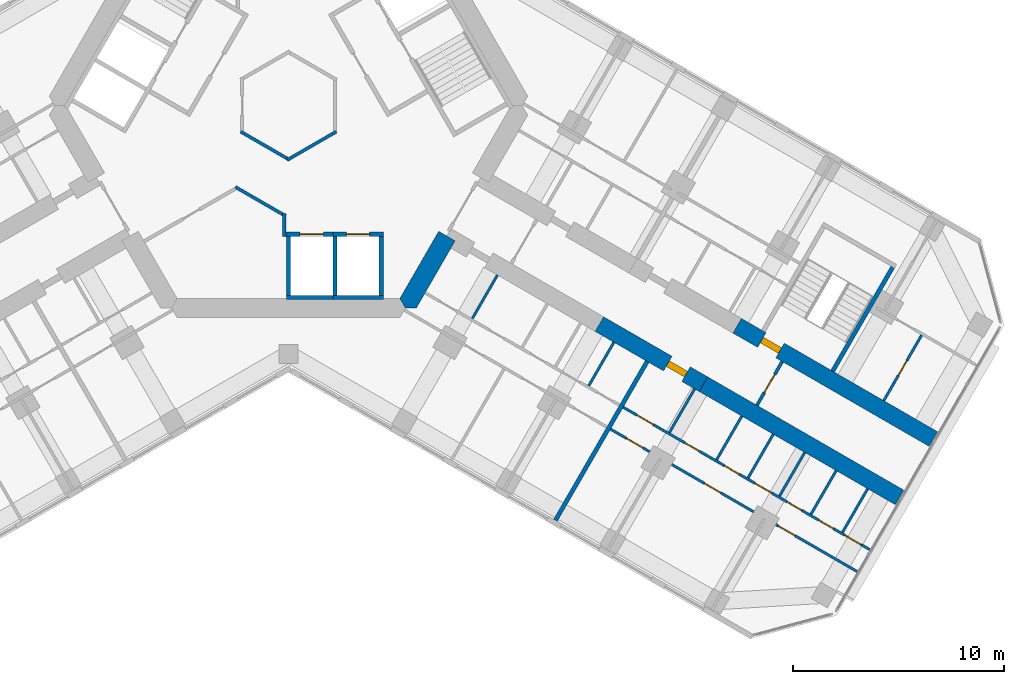
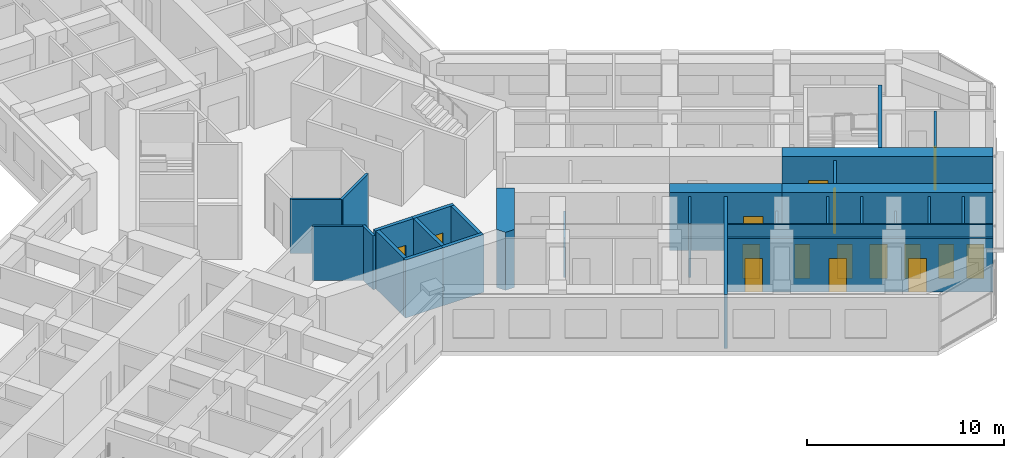
# One storey, part 14 of 19: 29 walls, 16 doors, 16 openings.
"""IFC4 building model written with IfcOpenShell, lengths in metres."""

from ifc_helpers import new_model, si_unit, direction, frame, frame_2d, origin, place, context, subcontext, project, spatial, polyline, rectangle, outline, extrude, material, layer, layer_set, type_object, element, fill, save


model = new_model("IFC4")

# Units and contexts
model_context = context("Model", 3, precision=1e-05, world=origin(), true_north=direction((0.0, 1.0)))
body_context = subcontext(model_context, "Body", "Model", "MODEL_VIEW")
ifc_project = project(units=[si_unit("LENGTHUNIT", "METRE"), si_unit("AREAUNIT", "SQUARE_METRE"), si_unit("VOLUMEUNIT", "CUBIC_METRE"), si_unit("PLANEANGLEUNIT", "RADIAN"), si_unit("MASSUNIT", "GRAM", prefix="KILO")], contexts=[model_context])

# Site, building, storey
site_placement = place(None, origin())
site = spatial("IfcSite", under=ifc_project, at=site_placement, CompositionType="ELEMENT")
building_placement = place(site_placement, origin())
building = spatial("IfcBuilding", under=site, at=building_placement, Name="Kosmar Iwan School Tower", CompositionType="ELEMENT")
storey_placement = place(building_placement, frame((0.0, 0.0, 172.39990234375)))
storey = spatial("IfcBuildingStorey", under=building, at=storey_placement, Name="L43", CompositionType="ELEMENT", Elevation=172.39990234375)

# Walls
ifc_material_1 = material(Name="Gypsum board on steel studs, fire-rated", Category="steel")
ifc_layer_1 = layer(ifc_material_1, 0.14990234375)
ifc_layer_set_1 = layer_set([ifc_layer_1], Name="Core room partition 150")
wall_type_1 = type_object("IfcWallType", Name="Core room partition 150", PredefinedType="PARTITIONING", material=ifc_layer_set_1)
wall_1_placement = place(storey_placement, frame((-2.514892578125, -3.859619140625, 0.0), z_axis=(0.0, 0.0, 1.0), x_axis=(0.866025804792, -0.499999305434, 0.0)))
element("IfcWall", 1, at=wall_1_placement, inside=storey, type_object=wall_type_1, Name="Core room partition L43-CW6", PredefinedType="PARTITIONING", context=body_context, shape_type="SweptSolid", body=[
    extrude(rectangle(XDim=2.748046875, YDim=0.14990234375, at=frame_2d((1.3740234375, 0.0))), origin(), (0.0, 0.0, 1.0), 3.35009765625),
])
wall_2_placement = place(storey_placement, frame((-0.199951171875, -5.12109375, 0.0), z_axis=(0.0, 0.0, 1.0), x_axis=(0.0, -1.0, 0.0)))
element("IfcWall", 2, at=wall_2_placement, inside=storey, type_object=wall_type_1, Name="Core room partition L43-CW7", PredefinedType="PARTITIONING", context=body_context, shape_type="SweptSolid", body=[
    extrude(rectangle(XDim=1.078857421875, YDim=0.14990234375, at=frame_2d((0.53955078125, 0.0))), origin(), (0.0, 0.0, 1.0), 3.35009765625),
])
for number, where, z_axis, x_axis, name in (
    (3, (2.264892578125, -1.232666015625, 0.0), (0.0, 0.0, 1.0), (-0.866011792348, -0.500023574959, 0.0), "Core room partition L43-CW8"),
    (4, (0.06494140625, -2.577880859375, 0.0), (0.0, 0.0, 1.0), (-0.866011792348, 0.500023574959, 0.0), "Core room partition L43-CW9"),
):
    element("IfcWall", number, at=place(storey_placement, frame(where, z_axis=z_axis, x_axis=x_axis)), inside=storey, type_object=wall_type_1, Name=name, PredefinedType="PARTITIONING", context=body_context, shape_type="SweptSolid", body=[
        extrude(rectangle(XDim=2.690185546875, YDim=0.14990234375, at=frame_2d((1.34521484375, 0.0))), origin(), (0.0, 0.0, 1.0), 3.35009765625),
    ])
ifc_material_2 = material(Name="Concrete C50/60", Category="concrete")
ifc_layer_2 = layer(ifc_material_2, 0.89990234375)
ifc_layer_set_2 = layer_set([ifc_layer_2], Name="Core wall 900")
wall_type_2 = type_object("IfcWallType", Name="Core wall 900", PredefinedType="SHEAR", material=ifc_layer_set_2)
wall_3_placement = place(storey_placement, origin())
element("IfcWall", 5, at=wall_3_placement, inside=storey, type_object=wall_type_2, Name="Core wall F330a", PredefinedType="SHEAR", context=body_context, shape_type="SweptSolid", body=[
    extrude(outline(polyline([(5.54248046875, -9.60009765625), (6.062255859375, -9.60009765625), (7.903564453125, -6.41064453125), (7.1240234375, -5.960693359375), (5.28271484375, -9.14990234375), (5.54248046875, -9.60009765625)])), origin(), (0.0, 0.0, 1.0), 3.60009765625),
])

# Wall, opening, door
ifc_material_3 = material(Name="Concrete C50/60", Category="concrete")
ifc_layer_3 = layer(ifc_material_3, 0.800048828125)
ifc_layer_set_3 = layer_set([ifc_layer_3], Name="Corridor buttress wall 800")
wall_type_3 = type_object("IfcWallType", Name="Corridor buttress wall 800", PredefinedType="SHEAR", material=ifc_layer_set_3)
wall_4_placement = place(storey_placement, frame((21.281494140625, -10.439453125, 0.0), z_axis=(0.0, 0.0, 1.0), x_axis=(0.866032345022, -0.499987977232, 0.0)))
wall_4 = element("IfcWall", 6, at=wall_4_placement, inside=storey, type_object=wall_type_3, Name="Corridor wall CL bay 3", PredefinedType="SHEAR", context=body_context, shape_type="SweptSolid", body=[
    extrude(rectangle(XDim=10.744873046875, YDim=0.800048828125, at=frame_2d((5.37255859375, 0.0))), origin(), (0.0, 0.0, 1.0), 3.60009765625),
])
opening_1_placement = place(wall_4_placement, frame((1.35009765625, 0.0, 0.0)))
opening_1 = element("IfcOpeningElement", 7, at=opening_1_placement, cuts=wall_4, Name="Opening D6", PredefinedType="OPENING", context=body_context, shape_type="SweptSolid", body=[
    extrude(rectangle(XDim=1.0, YDim=2.10009765625, at=frame_2d((0.5, 1.050048828125))), frame((0.0, 0.412109375, 0.0), z_axis=(0.0, -1.0, 0.0), x_axis=(1.0, 0.0, 0.0)), (0.0, 0.0, 1.0), 0.823974609375),
])
ifc_material_4 = material(Name="Steel fire door", Category="steel")
door_type_1 = type_object("IfcDoorType", Name="Stair door 1000x2100", OperationType="SINGLE_SWING_LEFT", PredefinedType="DOOR", material=ifc_material_4)
door_1_placement = place(opening_1_placement, origin())
door_1 = element("IfcDoor", 8, at=door_1_placement, inside=storey, type_object=door_type_1, Name="Stair WS3 door L43", OperationType="SINGLE_SWING_LEFT", OverallHeight=2.10009765625, OverallWidth=1.0, PredefinedType="DOOR", context=body_context, shape_type="SweptSolid", body=[
    extrude(rectangle(XDim=1.0, YDim=2.10009765625, at=frame_2d((0.5, 1.050048828125))), frame((0.0, 0.14990234375, 0.0), z_axis=(0.0, -1.0, 0.0), x_axis=(1.0, 0.0, 0.0)), (0.0, 0.0, 1.0), 0.300048828125),
])
fill(opening_1, door_1)

wall_5_placement = place(storey_placement, frame((14.7451171875, -10.360595703125, 0.0), z_axis=(0.0, 0.0, 1.0), x_axis=(0.866015111908, -0.50001782563, 0.0)))
wall_5 = element("IfcWall", 9, at=wall_5_placement, inside=storey, type_object=wall_type_3, Name="Corridor wall CR bay 2", PredefinedType="SHEAR", context=body_context, shape_type="SweptSolid", body=[
    extrude(rectangle(XDim=5.699951171875, YDim=0.800048828125, at=frame_2d((2.85009765625, 0.0))), origin(), (0.0, 0.0, 1.0), 3.60009765625),
])
opening_2_placement = place(wall_5_placement, frame((3.75, 0.0, 0.0)))
opening_2 = element("IfcOpeningElement", 10, at=opening_2_placement, cuts=wall_5, Name="Opening D1", PredefinedType="OPENING", context=body_context, shape_type="SweptSolid", body=[
    extrude(rectangle(XDim=1.0, YDim=2.10009765625, at=frame_2d((0.5, 1.050048828125))), frame((0.0, 0.412109375, 0.0), z_axis=(0.0, -1.0, 0.0), x_axis=(1.0, 0.0, 0.0)), (0.0, 0.0, 1.0), 0.823974609375),
])
ifc_material_5 = material(Name="Timber fire door in steel frame", Category="steel")
door_type_2 = type_object("IfcDoorType", Name="Flat entrance door 1000x2100", OperationType="SINGLE_SWING_LEFT", PredefinedType="DOOR", material=ifc_material_5)
door_2_placement = place(opening_2_placement, origin())
door_2 = element("IfcDoor", 11, at=door_2_placement, inside=storey, type_object=door_type_2, Name="Flat L43-CR2 entrance door", OperationType="SINGLE_SWING_RIGHT", OverallHeight=2.10009765625, OverallWidth=1.0, PredefinedType="DOOR", context=body_context, shape_type="SweptSolid", body=[
    extrude(rectangle(XDim=1.0, YDim=2.10009765625, at=frame_2d((0.5, 1.050048828125))), frame((0.0, 0.14990234375, 0.0), z_axis=(0.0, -1.0, 0.0), x_axis=(1.0, 0.0, 0.0)), (0.0, 0.0, 1.0), 0.300048828125),
])
fill(opening_2, door_2)

# Wall
wall_6_placement = place(storey_placement, frame((19.681396484375, -13.210693359375, 0.0), z_axis=(0.0, 0.0, 1.0), x_axis=(0.866028186671, -0.499995179869, 0.0)))
element("IfcWall", 12, at=wall_6_placement, inside=storey, type_object=wall_type_3, Name="Corridor wall CR bay 3", PredefinedType="SHEAR", context=body_context, shape_type="SweptSolid", body=[
    extrude(rectangle(XDim=10.7451171875, YDim=0.800048828125, at=frame_2d((5.37255859375, 0.0))), origin(), (0.0, 0.0, 1.0), 3.60009765625),
])

# Wall, opening, door
ifc_material_6 = material(Name="Gypsum board on steel studs, fire-rated", Category="steel")
ifc_layer_4 = layer(ifc_material_6, 0.14990234375)
ifc_layer_set_4 = layer_set([ifc_layer_4], Name="Corridor end wall 150")
wall_type_4 = type_object("IfcWallType", Name="Corridor end wall 150", PredefinedType="PARTITIONING", material=ifc_layer_set_4)
wall_7_placement = place(storey_placement, frame((22.2197265625, -14.21435546875, 0.0), z_axis=(0.0, 0.0, 1.0), x_axis=(0.499957262057, 0.866050077142, 0.0)))
wall_7 = element("IfcWall", 13, at=wall_7_placement, inside=storey, type_object=wall_type_4, Name="Partition L43-C-CE", PredefinedType="PARTITIONING", context=body_context, shape_type="SweptSolid", body=[
    extrude(rectangle(XDim=2.400146484375, YDim=0.14990234375, at=frame_2d((1.2001953125, 0.0))), origin(), (0.0, 0.0, 1.0), 3.35009765625),
])
opening_3_placement = place(wall_7_placement, frame((0.699951171875, 0.0, 0.0)))
opening_3 = element("IfcOpeningElement", 14, at=opening_3_placement, cuts=wall_7, Name="Opening D13", PredefinedType="OPENING", context=body_context, shape_type="SweptSolid", body=[
    extrude(rectangle(XDim=1.0, YDim=2.10009765625, at=frame_2d((0.5, 1.050048828125))), frame((0.0, 0.0869140625, 0.0), z_axis=(0.0, -1.0, 0.0), x_axis=(1.0, 0.0, 0.0)), (0.0, 0.0, 1.0), 0.173828125),
])
ifc_material_7 = material(Name="Timber fire door with vision panel", Category="wood")
door_type_3 = type_object("IfcDoorType", Name="Corridor end door 1000x2100", OperationType="SINGLE_SWING_LEFT", PredefinedType="DOOR", material=ifc_material_7)
door_3_placement = place(opening_3_placement, origin())
door_3 = element("IfcDoor", 15, at=door_3_placement, inside=storey, type_object=door_type_3, Name="Family study room door L43-C", OperationType="SINGLE_SWING_RIGHT", OverallHeight=2.10009765625, OverallWidth=1.0, PredefinedType="DOOR", context=body_context, shape_type="SweptSolid", body=[
    extrude(rectangle(XDim=1.0, YDim=2.10009765625, at=frame_2d((0.5, 1.050048828125))), frame((0.0, 0.02490234375, 0.0), z_axis=(0.0, -1.0, 0.0), x_axis=(1.0, 0.0, 0.0)), (0.0, 0.0, 1.0), 0.050048828125),
])
fill(opening_3, door_3)

ifc_material_8 = material(Name="Gypsum board on steel studs", Category="steel")
ifc_layer_5 = layer(ifc_material_8, 0.1201171875)
ifc_layer_set_5 = layer_set([ifc_layer_5], Name="Dwelling partition 120")
wall_type_5 = type_object("IfcWallType", Name="Dwelling partition 120", PredefinedType="PARTITIONING", material=ifc_layer_set_5)
wall_8_placement = place(storey_placement, frame((28.236572265625, -13.992919921875, 0.0), z_axis=(0.0, 0.0, 1.0), x_axis=(0.499971658126, 0.866041766355, 0.0)))
wall_8 = element("IfcWall", 16, at=wall_8_placement, inside=storey, type_object=wall_type_5, Name="Partition L43-CL2-TY", PredefinedType="PARTITIONING", context=body_context, shape_type="SweptSolid", body=[
    extrude(rectangle(XDim=3.590087890625, YDim=0.1201171875, at=frame_2d((1.794921875, 0.0))), origin(), (0.0, 0.0, 1.0), 3.35009765625),
])
opening_4_placement = place(wall_8_placement, frame((1.39501953125, 0.0, 0.0)))
opening_4 = element("IfcOpeningElement", 17, at=opening_4_placement, cuts=wall_8, Name="Opening D3", PredefinedType="OPENING", context=body_context, shape_type="SweptSolid", body=[
    extrude(rectangle(XDim=0.800048828125, YDim=2.10009765625, at=frame_2d((0.39990234375, 1.050048828125))), frame((0.0, 0.072021484375, 0.0), z_axis=(0.0, -1.0, 0.0), x_axis=(1.0, 0.0, 0.0)), (0.0, 0.0, 1.0), 0.14404296875),
])
ifc_material_9 = material(Name="Timber door in timber frame", Category="wood")
door_type_4 = type_object("IfcDoorType", Name="Sanitary room door 800x2100", OperationType="SINGLE_SWING_LEFT", PredefinedType="DOOR", material=ifc_material_9)
door_4_placement = place(opening_4_placement, origin())
door_4 = element("IfcDoor", 18, at=door_4_placement, inside=storey, type_object=door_type_4, Name="Shower room door L43-CL2-T4", OperationType="SINGLE_SWING_RIGHT", OverallHeight=2.10009765625, OverallWidth=0.800048828125, PredefinedType="DOOR", context=body_context, shape_type="SweptSolid", body=[
    extrude(rectangle(XDim=0.800048828125, YDim=2.10009765625, at=frame_2d((0.39990234375, 1.050048828125))), frame((0.0, 0.02490234375, 0.0), z_axis=(0.0, -1.0, 0.0), x_axis=(1.0, 0.0, 0.0)), (0.0, 0.0, 1.0), 0.050048828125),
])
fill(opening_4, door_4)

# Walls
wall_9_placement = place(storey_placement, frame((9.911865234375, -8.031982421875, 0.0), z_axis=(0.0, 0.0, 1.0), x_axis=(-0.500017192868, -0.86601547725, 0.0)))
element("IfcWall", 19, at=wall_9_placement, inside=storey, type_object=wall_type_5, Name="Partition L43-CR1-Y1", PredefinedType="PARTITIONING", context=body_context, shape_type="SweptSolid", body=[
    extrude(rectangle(XDim=2.39013671875, YDim=0.1201171875, at=frame_2d((1.195068359375, 0.0))), origin(), (0.0, 0.0, 1.0), 2.4501953125),
])
wall_10_placement = place(storey_placement, frame((15.435302734375, -11.220947265625, 0.0), z_axis=(0.0, 0.0, 1.0), x_axis=(-0.500017192868, -0.86601547725, 0.0)))
element("IfcWall", 20, at=wall_10_placement, inside=storey, type_object=wall_type_5, Name="Partition L43-CR1-Y4", PredefinedType="PARTITIONING", context=body_context, shape_type="SweptSolid", body=[
    extrude(rectangle(XDim=2.39013671875, YDim=0.1201171875, at=frame_2d((1.195068359375, 0.0))), origin(), (0.0, 0.0, 1.0), 3.35009765625),
])

# Wall, openings, doors
wall_11_placement = place(storey_placement, frame((15.875, -14.3037109375, 0.0), z_axis=(0.0, 0.0, 1.0), x_axis=(0.866023503214, -0.50000329187, 0.0)))
wall_11 = element("IfcWall", 21, at=wall_11_placement, inside=storey, type_object=wall_type_5, Name="Partition L43-CR2-W1", PredefinedType="PARTITIONING", context=body_context, shape_type="SweptSolid", body=[
    extrude(rectangle(XDim=13.4951171875, YDim=0.1201171875, at=frame_2d((6.74755859375, 0.0))), origin(), (0.0, 0.0, 1.0), 3.35009765625),
])
opening_5_placement = place(wall_11_placement, frame((0.75, 0.0, 0.0)))
opening_5 = element("IfcOpeningElement", 22, at=opening_5_placement, cuts=wall_11, Name="Opening D2", PredefinedType="OPENING", context=body_context, shape_type="SweptSolid", body=[
    extrude(rectangle(XDim=0.89990234375, YDim=2.10009765625, at=frame_2d((0.449951171875, 1.050048828125))), frame((0.0, 0.072021484375, 0.0), z_axis=(0.0, -1.0, 0.0), x_axis=(1.0, 0.0, 0.0)), (0.0, 0.0, 1.0), 0.14404296875),
])
opening_6_placement = place(wall_11_placement, frame((3.392333984375, 0.0, 0.0)))
opening_6 = element("IfcOpeningElement", 23, at=opening_6_placement, cuts=wall_11, Name="Opening D3", PredefinedType="OPENING", context=body_context, shape_type="SweptSolid", body=[
    extrude(rectangle(XDim=0.800048828125, YDim=2.10009765625, at=frame_2d((0.39990234375, 1.050048828125))), frame((0.0, 0.072021484375, 0.0), z_axis=(0.0, -1.0, 0.0), x_axis=(1.0, 0.0, 0.0)), (0.0, 0.0, 1.0), 0.14404296875),
])
opening_7_placement = place(wall_11_placement, frame((5.546142578125, 0.0, 0.0)))
opening_7 = element("IfcOpeningElement", 24, at=opening_7_placement, cuts=wall_11, Name="Opening D3", PredefinedType="OPENING", context=body_context, shape_type="SweptSolid", body=[
    extrude(rectangle(XDim=0.800048828125, YDim=2.10009765625, at=frame_2d((0.39990234375, 1.050048828125))), frame((0.0, 0.072021484375, 0.0), z_axis=(0.0, -1.0, 0.0), x_axis=(1.0, 0.0, 0.0)), (0.0, 0.0, 1.0), 0.14404296875),
])
opening_8_placement = place(wall_11_placement, frame((7.21923828125, 0.0, 0.0)))
opening_8 = element("IfcOpeningElement", 25, at=opening_8_placement, cuts=wall_11, Name="Opening D2", PredefinedType="OPENING", context=body_context, shape_type="SweptSolid", body=[
    extrude(rectangle(XDim=0.89990234375, YDim=2.10009765625, at=frame_2d((0.449951171875, 1.050048828125))), frame((0.0, 0.072021484375, 0.0), z_axis=(0.0, -1.0, 0.0), x_axis=(1.0, 0.0, 0.0)), (0.0, 0.0, 1.0), 0.14404296875),
])
opening_9_placement = place(wall_11_placement, frame((8.992431640625, 0.0, 0.0)))
opening_9 = element("IfcOpeningElement", 26, at=opening_9_placement, cuts=wall_11, Name="Opening D3", PredefinedType="OPENING", context=body_context, shape_type="SweptSolid", body=[
    extrude(rectangle(XDim=0.800048828125, YDim=2.10009765625, at=frame_2d((0.39990234375, 1.050048828125))), frame((0.0, 0.072021484375, 0.0), z_axis=(0.0, -1.0, 0.0), x_axis=(1.0, 0.0, 0.0)), (0.0, 0.0, 1.0), 0.14404296875),
])
opening_10_placement = place(wall_11_placement, frame((10.71533203125, 0.0, 0.0)))
opening_10 = element("IfcOpeningElement", 27, at=opening_10_placement, cuts=wall_11, Name="Opening D3", PredefinedType="OPENING", context=body_context, shape_type="SweptSolid", body=[
    extrude(rectangle(XDim=0.800048828125, YDim=2.10009765625, at=frame_2d((0.39990234375, 1.050048828125))), frame((0.0, 0.072021484375, 0.0), z_axis=(0.0, -1.0, 0.0), x_axis=(1.0, 0.0, 0.0)), (0.0, 0.0, 1.0), 0.14404296875),
])
opening_11_placement = place(wall_11_placement, frame((12.136962890625, 0.0, 0.0)))
opening_11 = element("IfcOpeningElement", 28, at=opening_11_placement, cuts=wall_11, Name="Opening D2", PredefinedType="OPENING", context=body_context, shape_type="SweptSolid", body=[
    extrude(rectangle(XDim=0.89990234375, YDim=2.10009765625, at=frame_2d((0.449951171875, 1.050048828125))), frame((0.0, 0.072021484375, 0.0), z_axis=(0.0, -1.0, 0.0), x_axis=(1.0, 0.0, 0.0)), (0.0, 0.0, 1.0), 0.14404296875),
])
ifc_material_10 = material(Name="Timber door in timber frame", Category="wood")
door_type_5 = type_object("IfcDoorType", Name="Internal door 900x2100", OperationType="SINGLE_SWING_LEFT", PredefinedType="DOOR", material=ifc_material_10)
door_5_placement = place(opening_5_placement, origin())
door_5 = element("IfcDoor", 29, at=door_5_placement, inside=storey, type_object=door_type_5, Name="Entrance hall door L43-CR2-S1", OperationType="SINGLE_SWING_LEFT", OverallHeight=2.10009765625, OverallWidth=0.89990234375, PredefinedType="DOOR", context=body_context, shape_type="SweptSolid", body=[
    extrude(rectangle(XDim=0.89990234375, YDim=2.10009765625, at=frame_2d((0.449951171875, 1.050048828125))), frame((0.0, 0.02490234375, 0.0), z_axis=(0.0, -1.0, 0.0), x_axis=(1.0, 0.0, 0.0)), (0.0, 0.0, 1.0), 0.050048828125),
])
fill(opening_5, door_5)
door_6_placement = place(opening_8_placement, origin())
door_6 = element("IfcDoor", 30, at=door_6_placement, inside=storey, type_object=door_type_5, Name="Pantry door L43-CR2-S4", OperationType="SINGLE_SWING_RIGHT", OverallHeight=2.10009765625, OverallWidth=0.89990234375, PredefinedType="DOOR", context=body_context, shape_type="SweptSolid", body=[
    extrude(rectangle(XDim=0.89990234375, YDim=2.10009765625, at=frame_2d((0.449951171875, 1.050048828125))), frame((0.0, 0.02490234375, 0.0), z_axis=(0.0, -1.0, 0.0), x_axis=(1.0, 0.0, 0.0)), (0.0, 0.0, 1.0), 0.050048828125),
])
fill(opening_8, door_6)
door_7_placement = place(opening_11_placement, origin())
door_7 = element("IfcDoor", 31, at=door_7_placement, inside=storey, type_object=door_type_5, Name="Utility room door L43-CR2-S7", OperationType="SINGLE_SWING_LEFT", OverallHeight=2.10009765625, OverallWidth=0.89990234375, PredefinedType="DOOR", context=body_context, shape_type="SweptSolid", body=[
    extrude(rectangle(XDim=0.89990234375, YDim=2.10009765625, at=frame_2d((0.449951171875, 1.050048828125))), frame((0.0, 0.02490234375, 0.0), z_axis=(0.0, -1.0, 0.0), x_axis=(1.0, 0.0, 0.0)), (0.0, 0.0, 1.0), 0.050048828125),
])
fill(opening_11, door_7)
door_8_placement = place(opening_6_placement, origin())
door_8 = element("IfcDoor", 32, at=door_8_placement, inside=storey, type_object=door_type_4, Name="Bathroom door L43-CR2-S2", OperationType="SINGLE_SWING_RIGHT", OverallHeight=2.10009765625, OverallWidth=0.800048828125, PredefinedType="DOOR", context=body_context, shape_type="SweptSolid", body=[
    extrude(rectangle(XDim=0.800048828125, YDim=2.10009765625, at=frame_2d((0.39990234375, 1.050048828125))), frame((0.0, 0.02490234375, 0.0), z_axis=(0.0, -1.0, 0.0), x_axis=(1.0, 0.0, 0.0)), (0.0, 0.0, 1.0), 0.050048828125),
])
fill(opening_6, door_8)
door_9_placement = place(opening_7_placement, origin())
door_9 = element("IfcDoor", 33, at=door_9_placement, inside=storey, type_object=door_type_4, Name="Shower room door L43-CR2-S3", OperationType="SINGLE_SWING_LEFT", OverallHeight=2.10009765625, OverallWidth=0.800048828125, PredefinedType="DOOR", context=body_context, shape_type="SweptSolid", body=[
    extrude(rectangle(XDim=0.800048828125, YDim=2.10009765625, at=frame_2d((0.39990234375, 1.050048828125))), frame((0.0, 0.02490234375, 0.0), z_axis=(0.0, -1.0, 0.0), x_axis=(1.0, 0.0, 0.0)), (0.0, 0.0, 1.0), 0.050048828125),
])
fill(opening_7, door_9)
door_10_placement = place(opening_9_placement, origin())
door_10 = element("IfcDoor", 34, at=door_10_placement, inside=storey, type_object=door_type_4, Name="WC door L43-CR2-S5", OperationType="SINGLE_SWING_LEFT", OverallHeight=2.10009765625, OverallWidth=0.800048828125, PredefinedType="DOOR", context=body_context, shape_type="SweptSolid", body=[
    extrude(rectangle(XDim=0.800048828125, YDim=2.10009765625, at=frame_2d((0.39990234375, 1.050048828125))), frame((0.0, 0.02490234375, 0.0), z_axis=(0.0, -1.0, 0.0), x_axis=(1.0, 0.0, 0.0)), (0.0, 0.0, 1.0), 0.050048828125),
])
fill(opening_9, door_10)
door_11_placement = place(opening_10_placement, origin())
door_11 = element("IfcDoor", 35, at=door_11_placement, inside=storey, type_object=door_type_4, Name="Store door L43-CR2-S6", OperationType="SINGLE_SWING_RIGHT", OverallHeight=2.10009765625, OverallWidth=0.800048828125, PredefinedType="DOOR", context=body_context, shape_type="SweptSolid", body=[
    extrude(rectangle(XDim=0.800048828125, YDim=2.10009765625, at=frame_2d((0.39990234375, 1.050048828125))), frame((0.0, 0.02490234375, 0.0), z_axis=(0.0, -1.0, 0.0), x_axis=(1.0, 0.0, 0.0)), (0.0, 0.0, 1.0), 0.050048828125),
])
fill(opening_10, door_11)

wall_12_placement = place(storey_placement, frame((15.27490234375, -15.343017578125, 0.0), z_axis=(0.0, 0.0, 1.0), x_axis=(0.866023503214, -0.50000329187, 0.0)))
wall_12 = element("IfcWall", 36, at=wall_12_placement, inside=storey, type_object=wall_type_5, Name="Partition L43-CR2-W2", PredefinedType="PARTITIONING", context=body_context, shape_type="SweptSolid", body=[
    extrude(rectangle(XDim=13.4951171875, YDim=0.1201171875, at=frame_2d((6.74755859375, 0.0))), origin(), (0.0, 0.0, 1.0), 3.35009765625),
])
opening_12_placement = place(wall_12_placement, frame((0.875, 0.0, 0.0)))
opening_12 = element("IfcOpeningElement", 37, at=opening_12_placement, cuts=wall_12, Name="Opening D2", PredefinedType="OPENING", context=body_context, shape_type="SweptSolid", body=[
    extrude(rectangle(XDim=0.89990234375, YDim=2.10009765625, at=frame_2d((0.449951171875, 1.050048828125))), frame((0.0, 0.072021484375, 0.0), z_axis=(0.0, -1.0, 0.0), x_axis=(1.0, 0.0, 0.0)), (0.0, 0.0, 1.0), 0.14404296875),
])
opening_13_placement = place(wall_12_placement, frame((5.14990234375, 0.0, 0.0)))
opening_13 = element("IfcOpeningElement", 38, at=opening_13_placement, cuts=wall_12, Name="Opening D2", PredefinedType="OPENING", context=body_context, shape_type="SweptSolid", body=[
    extrude(rectangle(XDim=0.89990234375, YDim=2.10009765625, at=frame_2d((0.449951171875, 1.050048828125))), frame((0.0, 0.072021484375, 0.0), z_axis=(0.0, -1.0, 0.0), x_axis=(1.0, 0.0, 0.0)), (0.0, 0.0, 1.0), 0.14404296875),
])
opening_14_placement = place(wall_12_placement, frame((9.199951171875, 0.0, 0.0)))
opening_14 = element("IfcOpeningElement", 39, at=opening_14_placement, cuts=wall_12, Name="Opening D2", PredefinedType="OPENING", context=body_context, shape_type="SweptSolid", body=[
    extrude(rectangle(XDim=0.89990234375, YDim=2.10009765625, at=frame_2d((0.449951171875, 1.050048828125))), frame((0.0, 0.072021484375, 0.0), z_axis=(0.0, -1.0, 0.0), x_axis=(1.0, 0.0, 0.0)), (0.0, 0.0, 1.0), 0.14404296875),
])
door_12_placement = place(opening_12_placement, origin())
door_12 = element("IfcDoor", 40, at=door_12_placement, inside=storey, type_object=door_type_5, Name="Bedroom 1 door L43-CR2-F1", OperationType="SINGLE_SWING_LEFT", OverallHeight=2.10009765625, OverallWidth=0.89990234375, PredefinedType="DOOR", context=body_context, shape_type="SweptSolid", body=[
    extrude(rectangle(XDim=0.89990234375, YDim=2.10009765625, at=frame_2d((0.449951171875, 1.050048828125))), frame((0.0, 0.02490234375, 0.0), z_axis=(0.0, -1.0, 0.0), x_axis=(1.0, 0.0, 0.0)), (0.0, 0.0, 1.0), 0.050048828125),
])
fill(opening_12, door_12)
door_13_placement = place(opening_13_placement, origin())
door_13 = element("IfcDoor", 41, at=door_13_placement, inside=storey, type_object=door_type_5, Name="Living room and kitchen door L43-CR2-F2", OperationType="SINGLE_SWING_LEFT", OverallHeight=2.10009765625, OverallWidth=0.89990234375, PredefinedType="DOOR", context=body_context, shape_type="SweptSolid", body=[
    extrude(rectangle(XDim=0.89990234375, YDim=2.10009765625, at=frame_2d((0.449951171875, 1.050048828125))), frame((0.0, 0.02490234375, 0.0), z_axis=(0.0, -1.0, 0.0), x_axis=(1.0, 0.0, 0.0)), (0.0, 0.0, 1.0), 0.050048828125),
])
fill(opening_13, door_13)
door_14_placement = place(opening_14_placement, origin())
door_14 = element("IfcDoor", 42, at=door_14_placement, inside=storey, type_object=door_type_5, Name="Bedroom 2 door L43-CR2-F3", OperationType="SINGLE_SWING_RIGHT", OverallHeight=2.10009765625, OverallWidth=0.89990234375, PredefinedType="DOOR", context=body_context, shape_type="SweptSolid", body=[
    extrude(rectangle(XDim=0.89990234375, YDim=2.10009765625, at=frame_2d((0.449951171875, 1.050048828125))), frame((0.0, 0.02490234375, 0.0), z_axis=(0.0, -1.0, 0.0), x_axis=(1.0, 0.0, 0.0)), (0.0, 0.0, 1.0), 0.050048828125),
])
fill(opening_14, door_14)

# Walls
wall_13_placement = place(storey_placement, frame((19.264892578125, -13.43212890625, 0.0), z_axis=(0.0, 0.0, 1.0), x_axis=(-0.499940577336, -0.866059708757, 0.0)))
element("IfcWall", 43, at=wall_13_placement, inside=storey, type_object=wall_type_5, Name="Partition L43-CR2-Y1", PredefinedType="PARTITIONING", context=body_context, shape_type="SweptSolid", body=[
    extrude(rectangle(XDim=2.389892578125, YDim=0.1201171875, at=frame_2d((1.19482421875, 0.0))), origin(), (0.0, 0.0, 1.0), 2.4501953125),
])
for number, where, z_axis, x_axis, name in (
    (44, (21.50341796875, -14.724365234375, 0.0), (0.0, 0.0, 1.0), (-0.500017192868, -0.86601547725, 0.0), "Partition L43-CR2-Y2"),
    (45, (22.99560546875, -15.5859375, 0.0), (0.0, 0.0, 1.0), (-0.500017192868, -0.86601547725, 0.0), "Partition L43-CR2-Y3"),
):
    element("IfcWall", number, at=place(storey_placement, frame(where, z_axis=z_axis, x_axis=x_axis)), inside=storey, type_object=wall_type_5, Name=name, PredefinedType="PARTITIONING", context=body_context, shape_type="SweptSolid", body=[
        extrude(rectangle(XDim=2.39013671875, YDim=0.1201171875, at=frame_2d((1.195068359375, 0.0))), origin(), (0.0, 0.0, 1.0), 3.35009765625),
    ])
wall_14_placement = place(storey_placement, frame((24.48779296875, -16.447509765625, 0.0), z_axis=(0.0, 0.0, 1.0), x_axis=(-0.500017192868, -0.86601547725, 0.0)))
element("IfcWall", 46, at=wall_14_placement, inside=storey, type_object=wall_type_5, Name="Partition L43-CR2-Y4", PredefinedType="PARTITIONING", context=body_context, shape_type="SweptSolid", body=[
    extrude(rectangle(XDim=2.39013671875, YDim=0.1201171875, at=frame_2d((1.195068359375, 0.0))), origin(), (0.0, 0.0, 1.0), 2.4501953125),
])
for number, where, z_axis, x_axis, name in (
    (47, (25.97998046875, -17.30908203125, 0.0), (0.0, 0.0, 1.0), (-0.500061428766, -0.865989934965, 0.0), "Partition L43-CR2-Y5"),
    (48, (27.47216796875, -18.17041015625, 0.0), (0.0, 0.0, 1.0), (-0.499940577336, -0.866059708757, 0.0), "Partition L43-CR2-Y6"),
):
    element("IfcWall", number, at=place(storey_placement, frame(where, z_axis=z_axis, x_axis=x_axis)), inside=storey, type_object=wall_type_5, Name=name, PredefinedType="PARTITIONING", context=body_context, shape_type="SweptSolid", body=[
        extrude(rectangle(XDim=2.389892578125, YDim=0.1201171875, at=frame_2d((1.19482421875, 0.0))), origin(), (0.0, 0.0, 1.0), 3.35009765625),
    ])
ifc_material_11 = material(Name="Concrete C35/45", Category="concrete")
ifc_layer_6 = layer(ifc_material_11, 0.199951171875)
ifc_layer_set_6 = layer_set([ifc_layer_6], Name="Escape stair wall 200")
wall_type_6 = type_object("IfcWallType", Name="Escape stair wall 200", PredefinedType="SHEAR", material=ifc_layer_set_6)
wall_15_placement = place(storey_placement, frame((25.8115234375, -12.593017578125, 0.0), z_axis=(0.0, 0.0, 1.0), x_axis=(0.500019744199, 0.866014004166, 0.0)))
element("IfcWall", 49, at=wall_15_placement, inside=storey, type_object=wall_type_6, Name="Stair WS3 wall", PredefinedType="SHEAR", context=body_context, shape_type="SweptSolid", body=[
    extrude(rectangle(XDim=5.900146484375, YDim=0.199951171875, at=frame_2d((2.9501953125, 0.0))), origin(), (0.0, 0.0, 1.0), 3.330078125),
])

# Wall, opening, door
ifc_material_12 = material(Name="Concrete C50/60", Category="concrete")
ifc_layer_7 = layer(ifc_material_12, 0.199951171875)
ifc_layer_set_7 = layer_set([ifc_layer_7], Name="Lift shaft wall 200")
wall_type_7 = type_object("IfcWallType", Name="Lift shaft wall 200", PredefinedType="SHEAR", material=ifc_layer_set_7)
wall_16_placement = place(storey_placement, frame((-0.125, -6.10009765625, 0.0), z_axis=(0.0, 0.0, 1.0), x_axis=(1.0, 0.0, 0.0)))
wall_16 = element("IfcWall", 50, at=wall_16_placement, inside=storey, type_object=wall_type_7, Name="Lift and stair front wall BC", PredefinedType="SHEAR", context=body_context, shape_type="SweptSolid", body=[
    extrude(rectangle(XDim=2.22509765625, YDim=0.199951171875, at=frame_2d((1.112548828125, 0.0))), origin(), (0.0, 0.0, 1.0), 3.60009765625),
])
opening_15_placement = place(wall_16_placement, frame((0.675048828125, 0.0, 0.0)))
opening_15 = element("IfcOpeningElement", 51, at=opening_15_placement, cuts=wall_16, Name="Opening LD1", PredefinedType="OPENING", context=body_context, shape_type="SweptSolid", body=[
    extrude(rectangle(XDim=1.10009765625, YDim=2.10009765625, at=frame_2d((0.550048828125, 1.050048828125))), frame((0.0, 0.112060546875, 0.0), z_axis=(0.0, -1.0, 0.0), x_axis=(1.0, 0.0, 0.0)), (0.0, 0.0, 1.0), 0.223876953125),
])
ifc_material_13 = material(Name="Stainless steel sliding lift door", Category="steel")
door_type_6 = type_object("IfcDoorType", Name="Lift landing door 1100x2100", OperationType="SLIDING_TO_LEFT", PredefinedType="DOOR", material=ifc_material_13)
door_15_placement = place(opening_15_placement, origin())
door_15 = element("IfcDoor", 52, at=door_15_placement, inside=storey, type_object=door_type_6, Name="Lift PL3 landing door L43", OperationType="SLIDING_TO_LEFT", OverallHeight=2.10009765625, OverallWidth=1.10009765625, PredefinedType="DOOR", context=body_context, shape_type="SweptSolid", body=[
    extrude(rectangle(XDim=1.10009765625, YDim=2.10009765625, at=frame_2d((0.550048828125, 1.050048828125))), frame((0.0, 0.02490234375, 0.0), z_axis=(0.0, -1.0, 0.0), x_axis=(1.0, 0.0, 0.0)), (0.0, 0.0, 1.0), 0.050048828125),
])
fill(opening_15, door_15)

# Wall
wall_17_placement = place(storey_placement, frame((-0.10009765625, -9.10009765625, 0.0), z_axis=(0.0, 0.0, 1.0), x_axis=(1.0, 0.0, 0.0)))
element("IfcWall", 53, at=wall_17_placement, inside=storey, type_object=wall_type_7, Name="Lift and stair back wall BC", PredefinedType="SHEAR", context=body_context, shape_type="SweptSolid", body=[
    extrude(rectangle(XDim=2.2001953125, YDim=0.199951171875, at=frame_2d((1.10009765625, 0.0))), origin(), (0.0, 0.0, 1.0), 3.60009765625),
])

# Wall, opening, door
wall_18_placement = place(storey_placement, frame((2.10009765625, -6.10009765625, 0.0), z_axis=(0.0, 0.0, 1.0), x_axis=(1.0, 0.0, 0.0)))
wall_18 = element("IfcWall", 54, at=wall_18_placement, inside=storey, type_object=wall_type_7, Name="Lift and stair front wall BC", PredefinedType="SHEAR", context=body_context, shape_type="SweptSolid", body=[
    extrude(rectangle(XDim=2.39990234375, YDim=0.199951171875, at=frame_2d((1.199951171875, 0.0))), origin(), (0.0, 0.0, 1.0), 3.60009765625),
])
opening_16_placement = place(wall_18_placement, frame((0.64990234375, 0.0, 0.0)))
opening_16 = element("IfcOpeningElement", 55, at=opening_16_placement, cuts=wall_18, Name="Opening LD1", PredefinedType="OPENING", context=body_context, shape_type="SweptSolid", body=[
    extrude(rectangle(XDim=1.10009765625, YDim=2.10009765625, at=frame_2d((0.550048828125, 1.050048828125))), frame((0.0, 0.112060546875, 0.0), z_axis=(0.0, -1.0, 0.0), x_axis=(1.0, 0.0, 0.0)), (0.0, 0.0, 1.0), 0.223876953125),
])
door_16_placement = place(opening_16_placement, origin())
door_16 = element("IfcDoor", 56, at=door_16_placement, inside=storey, type_object=door_type_6, Name="Lift PL4 landing door L43", OperationType="SLIDING_TO_LEFT", OverallHeight=2.10009765625, OverallWidth=1.10009765625, PredefinedType="DOOR", context=body_context, shape_type="SweptSolid", body=[
    extrude(rectangle(XDim=1.10009765625, YDim=2.10009765625, at=frame_2d((0.550048828125, 1.050048828125))), frame((0.0, 0.02490234375, 0.0), z_axis=(0.0, -1.0, 0.0), x_axis=(1.0, 0.0, 0.0)), (0.0, 0.0, 1.0), 0.050048828125),
])
fill(opening_16, door_16)

# Walls
wall_19_placement = place(storey_placement, frame((2.10009765625, -9.10009765625, 0.0), z_axis=(0.0, 0.0, 1.0), x_axis=(1.0, 0.0, 0.0)))
element("IfcWall", 57, at=wall_19_placement, inside=storey, type_object=wall_type_7, Name="Lift and stair back wall BC", PredefinedType="SHEAR", context=body_context, shape_type="SweptSolid", body=[
    extrude(rectangle(XDim=2.39990234375, YDim=0.199951171875, at=frame_2d((1.199951171875, 0.0))), origin(), (0.0, 0.0, 1.0), 3.60009765625),
])
for number, where, z_axis, x_axis, name in (
    (58, (0.0, -6.199951171875, 0.0), (0.0, 0.0, 1.0), (0.0, -1.0, 0.0), "Lift shaft wall BC 0"),
    (59, (2.199951171875, -6.199951171875, 0.0), (0.0, 0.0, 1.0), (0.0, -1.0, 0.0), "Lift shaft wall BC 1"),
    (60, (4.39990234375, -6.199951171875, 0.0), (0.0, 0.0, 1.0), (0.0, -1.0, 0.0), "Lift shaft wall BC 2"),
):
    element("IfcWall", number, at=place(storey_placement, frame(where, z_axis=z_axis, x_axis=x_axis)), inside=storey, type_object=wall_type_7, Name=name, PredefinedType="SHEAR", context=body_context, shape_type="SweptSolid", body=[
        extrude(rectangle(XDim=2.800048828125, YDim=0.199951171875, at=frame_2d((1.39990234375, 0.0))), origin(), (0.0, 0.0, 1.0), 3.60009765625),
    ])
ifc_material_14 = material(Name="Concrete block masonry", Category="masonry")
ifc_layer_8 = layer(ifc_material_14, 0.199951171875)
ifc_layer_set_8 = layer_set([ifc_layer_8], Name="Party wall 200")
wall_type_8 = type_object("IfcWallType", Name="Party wall 200", PredefinedType="PARTITIONING", material=ifc_layer_set_8)
wall_20_placement = place(storey_placement, frame((17.013427734375, -12.132080078125, 0.0), z_axis=(0.0, 0.0, 1.0), x_axis=(-0.500008278454, -0.866020624164, 0.0)))
element("IfcWall", 61, at=wall_20_placement, inside=storey, type_object=wall_type_8, Name="Partition L43-CR2-PW", PredefinedType="PARTITIONING", context=body_context, shape_type="SweptSolid", body=[
    extrude(rectangle(XDim=8.699951171875, YDim=0.199951171875, at=frame_2d((4.35009765625, 0.0))), origin(), (0.0, 0.0, 1.0), 3.35009765625),
])

save(model, "model.ifc")
